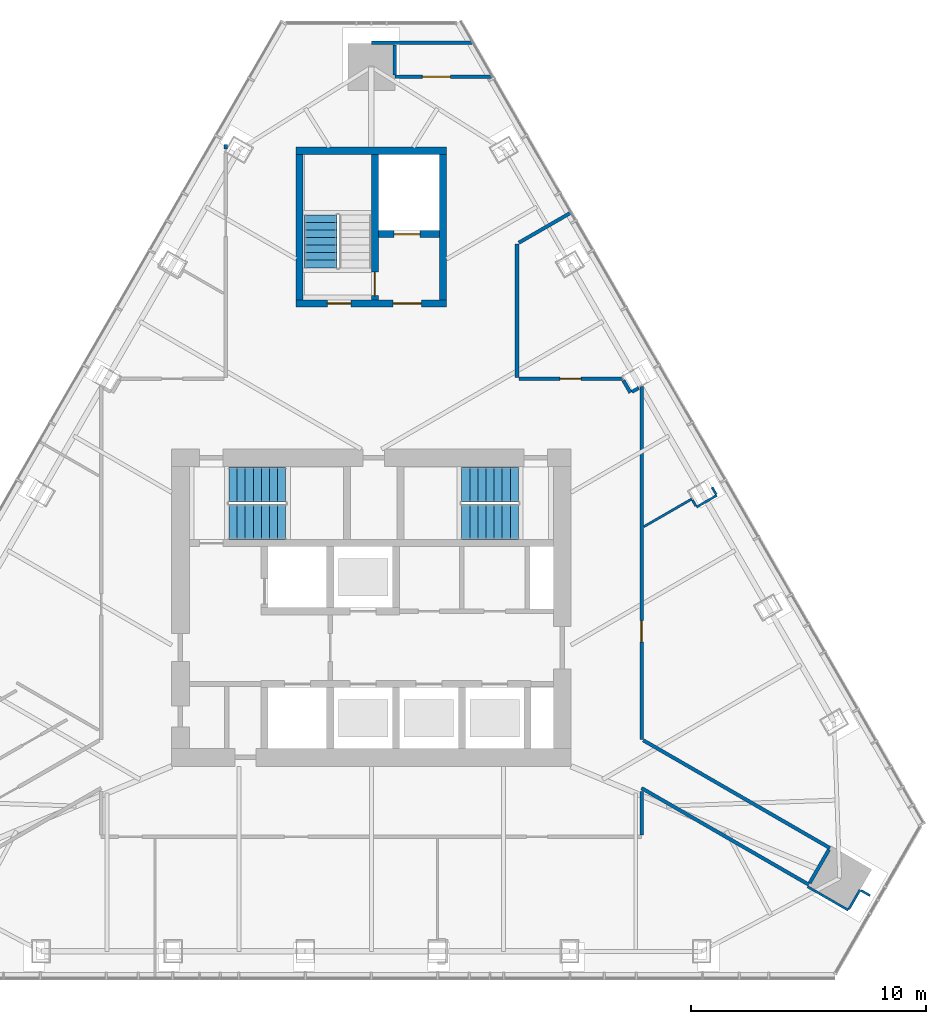
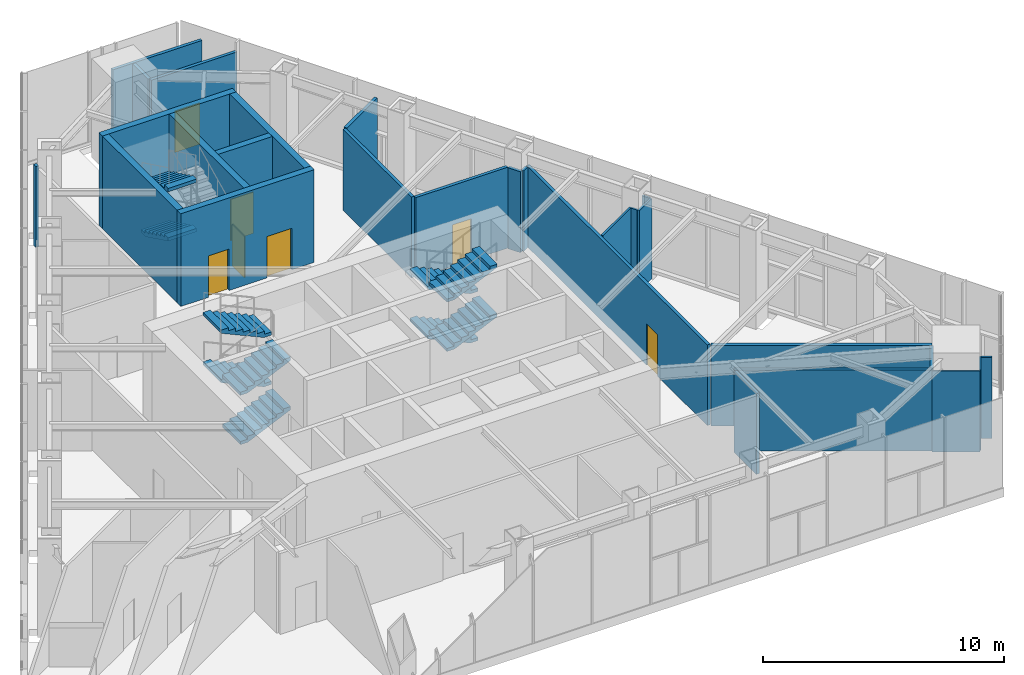
# One storey, part 13 of 17: 27 walls, 10 stair flights, 7 doors, 7 openings, 3 elements without a shape of their own.
"""IFC4 building model written with IfcOpenShell, lengths in metres."""

from ifc_helpers import new_model, si_unit, direction, frame, frame_2d, origin, place, context, subcontext, project, spatial, polyline, rectangle, outline, extrude, material, layer, layer_set, type_object, element, fill, aggregate, save


model = new_model("IFC4")

# Units and contexts
model_context = context("Model", 3, precision=1e-05, world=origin(), true_north=direction((0.0, 1.0)))
body_context = subcontext(model_context, "Body", "Model", "MODEL_VIEW")
ifc_project = project(units=[si_unit("LENGTHUNIT", "METRE"), si_unit("AREAUNIT", "SQUARE_METRE"), si_unit("VOLUMEUNIT", "CUBIC_METRE"), si_unit("PLANEANGLEUNIT", "RADIAN"), si_unit("MASSUNIT", "GRAM", prefix="KILO")], contexts=[model_context])

# Site, building, storey
site_placement = place(None, origin())
site = spatial("IfcSite", under=ifc_project, at=site_placement, CompositionType="ELEMENT")
building_placement = place(site_placement, origin())
building = spatial("IfcBuilding", under=site, at=building_placement, Name="Firuza Gate Tower and Library", CompositionType="ELEMENT")
storey_placement = place(building_placement, frame((0.0, 0.0, 326.60009765625)))
storey = spatial("IfcBuildingStorey", under=building, at=storey_placement, Name="L80", CompositionType="ELEMENT", Elevation=326.60009765625)

# Wall, openings, doors
ifc_material_1 = material(Name="Concrete C60/75", Category="concrete")
ifc_layer_1 = layer(ifc_material_1, 0.300048828125)
ifc_layer_set_1 = layer_set([ifc_layer_1], Name="Core wall 300 C60/75")
wall_type_1 = type_object("IfcWallType", Name="Core wall 300 C60/75", PredefinedType="SHEAR", material=ifc_layer_set_1)
wall_1_placement = place(storey_placement, frame((71.800048828125, 87.949951171875, 0.0), z_axis=(0.0, 0.0, 1.0), x_axis=(1.0, 0.0, 0.0)))
wall_1 = element("IfcWall", 1, at=wall_1_placement, inside=storey, type_object=wall_type_1, Name="Core wall L80 18", PredefinedType="SHEAR", context=body_context, shape_type="SweptSolid", body=[
    extrude(rectangle(XDim=6.39990234375, YDim=0.300048828125, at=frame_2d((3.199951171875, 0.0))), origin(), (0.0, 0.0, 1.0), 4.699951171875),
])
opening_1_placement = place(wall_1_placement, frame((1.324951171875, 0.0, 0.0)))
opening_1 = element("IfcOpeningElement", 2, at=opening_1_placement, cuts=wall_1, Name="Opening L80-K11", PredefinedType="OPENING", context=body_context, shape_type="SweptSolid", body=[
    extrude(rectangle(XDim=1.0, YDim=2.10009765625, at=frame_2d((0.5, 1.050048828125))), frame((0.0, 0.16015625, 0.0), z_axis=(0.0, -1.0, 0.0), x_axis=(1.0, 0.0, 0.0)), (0.0, 0.0, 1.0), 0.320068359375),
])
opening_2_placement = place(wall_1_placement, frame((4.125, 0.0, 0.0)))
opening_2 = element("IfcOpeningElement", 3, at=opening_2_placement, cuts=wall_1, Name="Opening L80-K13", PredefinedType="OPENING", context=body_context, shape_type="SweptSolid", body=[
    extrude(rectangle(XDim=1.199951171875, YDim=2.10009765625, at=frame_2d((0.60009765625, 1.050048828125))), frame((0.0, 0.16015625, 0.0), z_axis=(0.0, -1.0, 0.0), x_axis=(1.0, 0.0, 0.0)), (0.0, 0.0, 1.0), 0.320068359375),
])
ifc_material_2 = material(Name="Steel", Category="steel")
door_type_1 = type_object("IfcDoorType", Name="Fire door 1000x2100 FD90", OperationType="NOTDEFINED", PredefinedType="DOOR", material=ifc_material_2)
door_1_placement = place(opening_1_placement, origin())
door_1 = element("IfcDoor", 4, at=door_1_placement, inside=storey, type_object=door_type_1, Name="Door L80-K11", OperationType="SINGLE_SWING_RIGHT", OverallHeight=2.10009765625, OverallWidth=1.0, PredefinedType="DOOR", context=body_context, shape_type="SweptSolid", body=[
    extrude(rectangle(XDim=1.0, YDim=2.10009765625, at=frame_2d((0.5, 1.050048828125))), frame((0.0, 0.02490234375, 0.0), z_axis=(0.0, -1.0, 0.0), x_axis=(1.0, 0.0, 0.0)), (0.0, 0.0, 1.0), 0.050048828125),
])
fill(opening_1, door_1)
ifc_material_3 = material(Name="Steel", Category="steel")
door_type_2 = type_object("IfcDoorType", Name="Fire door 1200x2100 FD30S", OperationType="NOTDEFINED", PredefinedType="DOOR", material=ifc_material_3)
door_2_placement = place(opening_2_placement, origin())
door_2 = element("IfcDoor", 5, at=door_2_placement, inside=storey, type_object=door_type_2, Name="Door L80-K13", OperationType="SINGLE_SWING_RIGHT", OverallHeight=2.10009765625, OverallWidth=1.199951171875, PredefinedType="DOOR", context=body_context, shape_type="SweptSolid", body=[
    extrude(rectangle(XDim=1.199951171875, YDim=2.10009765625, at=frame_2d((0.60009765625, 1.050048828125))), frame((0.0, 0.02490234375, 0.0), z_axis=(0.0, -1.0, 0.0), x_axis=(1.0, 0.0, 0.0)), (0.0, 0.0, 1.0), 0.050048828125),
])
fill(opening_2, door_2)

# Walls
wall_2_placement = place(storey_placement, frame((71.800048828125, 94.449951171875, 0.0), z_axis=(0.0, 0.0, 1.0), x_axis=(1.0, 0.0, 0.0)))
element("IfcWall", 6, at=wall_2_placement, inside=storey, type_object=wall_type_1, Name="Core wall L80 19", PredefinedType="SHEAR", context=body_context, shape_type="SweptSolid", body=[
    extrude(rectangle(XDim=6.39990234375, YDim=0.300048828125, at=frame_2d((3.199951171875, 0.0))), origin(), (0.0, 0.0, 1.0), 4.699951171875),
])
for number, where, z_axis, x_axis, name in (
    (7, (71.949951171875, 88.10009765625, 0.0), (0.0, 0.0, 1.0), (0.0, 1.0, 0.0), "Core wall L80 20"),
    (8, (78.050048828125, 88.10009765625, 0.0), (0.0, 0.0, 1.0), (0.0, 1.0, 0.0), "Core wall L80 21"),
):
    element("IfcWall", number, at=place(storey_placement, frame(where, z_axis=z_axis, x_axis=x_axis)), inside=storey, type_object=wall_type_1, Name=name, PredefinedType="SHEAR", context=body_context, shape_type="SweptSolid", body=[
        extrude(rectangle(XDim=6.199951171875, YDim=0.300048828125, at=frame_2d((3.10009765625, 0.0))), origin(), (0.0, 0.0, 1.0), 4.699951171875),
    ])

# Wall, opening, door
wall_3_placement = place(storey_placement, frame((75.300048828125, 90.89990234375, 0.0), z_axis=(0.0, 0.0, 1.0), x_axis=(1.0, 0.0, 0.0)))
wall_3 = element("IfcWall", 9, at=wall_3_placement, inside=storey, type_object=wall_type_1, Name="Core wall L80 22", PredefinedType="SHEAR", context=body_context, shape_type="SweptSolid", body=[
    extrude(rectangle(XDim=2.599853515625, YDim=0.300048828125, at=frame_2d((1.2998046875, 0.0))), origin(), (0.0, 0.0, 1.0), 4.699951171875),
])
opening_3_placement = place(wall_3_placement, frame((0.675048828125, 0.0, 0.0)))
opening_3 = element("IfcOpeningElement", 10, at=opening_3_placement, cuts=wall_3, Name="Opening LD-SV1-L80", PredefinedType="OPENING", context=body_context, shape_type="SweptSolid", body=[
    extrude(rectangle(XDim=1.10009765625, YDim=2.10009765625, at=frame_2d((0.550048828125, 1.050048828125))), frame((0.0, 0.16015625, 0.0), z_axis=(0.0, -1.0, 0.0), x_axis=(1.0, 0.0, 0.0)), (0.0, 0.0, 1.0), 0.320068359375),
])
ifc_material_4 = material(Name="Stainless steel", Category="steel")
door_type_3 = type_object("IfcDoorType", Name="Lift landing door 1100x2100", OperationType="DOUBLE_DOOR_SLIDING", PredefinedType="DOOR", material=ifc_material_4)
door_3_placement = place(opening_3_placement, origin())
door_3 = element("IfcDoor", 11, at=door_3_placement, inside=storey, type_object=door_type_3, Name="Landing door SV1 L80", OperationType="DOUBLE_DOOR_SLIDING", OverallHeight=2.10009765625, OverallWidth=1.10009765625, PredefinedType="DOOR", context=body_context, shape_type="SweptSolid", body=[
    extrude(rectangle(XDim=1.10009765625, YDim=2.10009765625, at=frame_2d((0.550048828125, 1.050048828125))), frame((0.0, 0.02490234375, 0.0), z_axis=(0.0, -1.0, 0.0), x_axis=(1.0, 0.0, 0.0)), (0.0, 0.0, 1.0), 0.050048828125),
])
fill(opening_3, door_3)

wall_4_placement = place(storey_placement, frame((75.14990234375, 88.10009765625, 0.0), z_axis=(0.0, 0.0, 1.0), x_axis=(0.0, 1.0, 0.0)))
wall_4 = element("IfcWall", 12, at=wall_4_placement, inside=storey, type_object=wall_type_1, Name="Core wall L80 23", PredefinedType="SHEAR", context=body_context, shape_type="SweptSolid", body=[
    extrude(rectangle(XDim=6.199951171875, YDim=0.300048828125, at=frame_2d((3.10009765625, 0.0))), origin(), (0.0, 0.0, 1.0), 4.699951171875),
])
opening_4_placement = place(wall_4_placement, frame((0.18505859375, 0.0, 0.0)))
opening_4 = element("IfcOpeningElement", 13, at=opening_4_placement, cuts=wall_4, Name="Opening L80-K12", PredefinedType="OPENING", context=body_context, shape_type="SweptSolid", body=[
    extrude(rectangle(XDim=1.0, YDim=2.10009765625, at=frame_2d((0.5, 1.050048828125))), frame((0.0, 0.16015625, 0.0), z_axis=(0.0, -1.0, 0.0), x_axis=(1.0, 0.0, 0.0)), (0.0, 0.0, 1.0), 0.320068359375),
])
door_4_placement = place(opening_4_placement, origin())
door_4 = element("IfcDoor", 14, at=door_4_placement, inside=storey, type_object=door_type_1, Name="Door L80-K12", OperationType="SINGLE_SWING_LEFT", OverallHeight=2.10009765625, OverallWidth=1.0, PredefinedType="DOOR", context=body_context, shape_type="SweptSolid", body=[
    extrude(rectangle(XDim=1.0, YDim=2.10009765625, at=frame_2d((0.5, 1.050048828125))), frame((0.0, 0.02490234375, 0.0), z_axis=(0.0, -1.0, 0.0), x_axis=(1.0, 0.0, 0.0)), (0.0, 0.0, 1.0), 0.050048828125),
])
fill(opening_4, door_4)

ifc_material_5 = material(Name="Gypsum board partition")
ifc_layer_2 = layer(ifc_material_5, 0.14990234375)
ifc_layer_set_2 = layer_set([ifc_layer_2], Name="Corridor wall 150 double board on steel studs")
wall_type_2 = type_object("IfcWallType", Name="Corridor wall 150 double board on steel studs", PredefinedType="PARTITIONING", material=ifc_layer_set_2)
wall_5_placement = place(storey_placement, frame((81.275634765625, 84.75, 0.0), z_axis=(0.0, 0.0, 1.0), x_axis=(1.0, 0.0, 0.0)))
wall_5 = element("IfcWall", 15, at=wall_5_placement, inside=storey, type_object=wall_type_2, Name="f:L80:w004", PredefinedType="PARTITIONING", context=body_context, shape_type="SweptSolid", body=[
    extrude(rectangle(XDim=4.4072265625, YDim=0.14990234375, at=frame_2d((2.20361328125, 0.0))), origin(), (0.0, 0.0, 1.0), 4.099853515625),
])
opening_5_placement = place(wall_5_placement, frame((1.753662109375, 0.0, 0.0)))
opening_5 = element("IfcOpeningElement", 16, at=opening_5_placement, cuts=wall_5, Name="Opening L80-05", PredefinedType="OPENING", context=body_context, shape_type="SweptSolid", body=[
    extrude(rectangle(XDim=0.89990234375, YDim=2.10009765625, at=frame_2d((0.449951171875, 1.050048828125))), frame((0.0, 0.0849609375, 0.0), z_axis=(0.0, -1.0, 0.0), x_axis=(1.0, 0.0, 0.0)), (0.0, 0.0, 1.0), 0.169921875),
])
ifc_material_6 = material(Name="Steel door and timber leaf", Category="steel")
door_type_4 = type_object("IfcDoorType", Name="Fire door 900 x 2100 steel frame, timber leaf", OperationType="NOTDEFINED", PredefinedType="DOOR", material=ifc_material_6)
door_5_placement = place(opening_5_placement, origin())
door_5 = element("IfcDoor", 17, at=door_5_placement, inside=storey, type_object=door_type_4, Name="f:L80:d005", OperationType="SINGLE_SWING_LEFT", OverallHeight=2.10009765625, OverallWidth=0.89990234375, PredefinedType="DOOR", context=body_context, shape_type="SweptSolid", body=[
    extrude(rectangle(XDim=0.89990234375, YDim=2.10009765625, at=frame_2d((0.449951171875, 1.050048828125))), frame((0.0, 0.02490234375, 0.0), z_axis=(0.0, -1.0, 0.0), x_axis=(1.0, 0.0, 0.0)), (0.0, 0.0, 1.0), 0.050048828125),
])
fill(opening_5, door_5)

wall_6_placement = place(storey_placement, frame((76.0, 97.60009765625, 0.0), z_axis=(0.0, 0.0, 1.0), x_axis=(1.0, 0.0, 0.0)))
wall_6 = element("IfcWall", 18, at=wall_6_placement, inside=storey, type_object=wall_type_2, Name="f:L80:w005", PredefinedType="PARTITIONING", context=body_context, shape_type="SweptSolid", body=[
    extrude(rectangle(XDim=4.11181640625, YDim=0.14990234375, at=frame_2d((2.055908203125, 0.0))), origin(), (0.0, 0.0, 1.0), 4.099853515625),
])
opening_6_placement = place(wall_6_placement, frame((1.167236328125, 0.0, 0.0)))
opening_6 = element("IfcOpeningElement", 19, at=opening_6_placement, cuts=wall_6, Name="Opening L80-06", PredefinedType="OPENING", context=body_context, shape_type="SweptSolid", body=[
    extrude(rectangle(XDim=1.199951171875, YDim=2.10009765625, at=frame_2d((0.60009765625, 1.050048828125))), frame((0.0, 0.0849609375, 0.0), z_axis=(0.0, -1.0, 0.0), x_axis=(1.0, 0.0, 0.0)), (0.0, 0.0, 1.0), 0.169921875),
])
ifc_material_7 = material(Name="Steel door and timber leaf", Category="steel")
door_type_5 = type_object("IfcDoorType", Name="Fire door 1200 x 2100 steel frame, double leaf", OperationType="NOTDEFINED", PredefinedType="DOOR", material=ifc_material_7)
door_6_placement = place(opening_6_placement, origin())
door_6 = element("IfcDoor", 20, at=door_6_placement, inside=storey, type_object=door_type_5, Name="f:L80:d006", OperationType="DOUBLE_DOOR_SINGLE_SWING", OverallHeight=2.10009765625, OverallWidth=1.199951171875, PredefinedType="DOOR", context=body_context, shape_type="SweptSolid", body=[
    extrude(rectangle(XDim=1.199951171875, YDim=2.10009765625, at=frame_2d((0.60009765625, 1.050048828125))), frame((0.0, 0.02490234375, 0.0), z_axis=(0.0, -1.0, 0.0), x_axis=(1.0, 0.0, 0.0)), (0.0, 0.0, 1.0), 0.050048828125),
])
fill(opening_6, door_6)

# Walls
wall_7_placement = place(storey_placement, frame((75.0, 99.050048828125, 0.0), z_axis=(0.0, 0.0, 1.0), x_axis=(1.0, 0.0, 0.0)))
element("IfcWall", 21, at=wall_7_placement, inside=storey, type_object=wall_type_2, Name="f:L80:w006", PredefinedType="PARTITIONING", context=body_context, shape_type="SweptSolid", body=[
    extrude(rectangle(XDim=4.274658203125, YDim=0.14990234375, at=frame_2d((2.13720703125, 0.0))), origin(), (0.0, 0.0, 1.0), 4.099853515625),
])
wall_8_placement = place(storey_placement, frame((86.093017578125, 84.19091796875, 0.0), z_axis=(0.0, 0.0, 1.0), x_axis=(0.866112258846, 0.499849532436, 0.0)))
element("IfcWall", 22, at=wall_8_placement, inside=storey, type_object=wall_type_2, Name="f:L80:w014", PredefinedType="PARTITIONING", context=body_context, shape_type="SweptSolid", body=[
    extrude(rectangle(XDim=0.33251953125, YDim=0.14990234375, at=frame_2d((0.166259765625, 0.0))), origin(), (0.0, 0.0, 1.0), 4.087890625),
])
wall_9_placement = place(storey_placement, frame((81.275146484375, 90.533935546875, 0.0), z_axis=(0.0, 0.0, 1.0), x_axis=(0.866045539517, 0.499965122266, 0.0)))
element("IfcWall", 23, at=wall_9_placement, inside=storey, type_object=wall_type_2, Name="f:L80:w016", PredefinedType="PARTITIONING", context=body_context, shape_type="SweptSolid", body=[
    extrude(rectangle(XDim=2.525634765625, YDim=0.14990234375, at=frame_2d((1.2626953125, 0.0))), origin(), (0.0, 0.0, 1.0), 4.099853515625),
])
wall_10_placement = place(storey_placement, frame((93.658447265625, 63.28125, 0.0), z_axis=(0.0, 0.0, 1.0), x_axis=(0.499988108725, 0.866032269107, 0.0)))
element("IfcWall", 24, at=wall_10_placement, inside=storey, type_object=wall_type_2, Name="f:L80:w018", PredefinedType="PARTITIONING", context=body_context, shape_type="SweptSolid", body=[
    extrude(rectangle(XDim=1.64404296875, YDim=0.14990234375, at=frame_2d((0.822021484375, 0.0))), origin(), (0.0, 0.0, 1.0), 4.096923828125),
])
wall_11_placement = place(storey_placement, frame((86.5, 65.325439453125, 0.0), z_axis=(0.0, 0.0, 1.0), x_axis=(0.0, 1.0, 0.0)))
element("IfcWall", 25, at=wall_11_placement, inside=storey, type_object=wall_type_2, Name="f:L80:w022", PredefinedType="PARTITIONING", context=body_context, shape_type="SweptSolid", body=[
    extrude(rectangle(XDim=1.859130859375, YDim=0.14990234375, at=frame_2d((0.9296875, 0.0))), origin(), (0.0, 0.0, 1.0), 4.096923828125),
])

# Wall, opening, door
wall_12_placement = place(storey_placement, frame((86.5, 84.42529296875, 0.0), z_axis=(0.0, 0.0, 1.0), x_axis=(0.0, -1.0, 0.0)))
wall_12 = element("IfcWall", 26, at=wall_12_placement, inside=storey, type_object=wall_type_2, Name="f:L80:w023", PredefinedType="PARTITIONING", context=body_context, shape_type="SweptSolid", body=[
    extrude(rectangle(XDim=15.025634765625, YDim=0.14990234375, at=frame_2d((7.5126953125, 0.0))), origin(), (0.0, 0.0, 1.0), 4.087890625),
])
opening_7_placement = place(wall_12_placement, frame((9.978271484375, 0.0, 0.0)))
opening_7 = element("IfcOpeningElement", 27, at=opening_7_placement, cuts=wall_12, Name="Opening L80-11", PredefinedType="OPENING", context=body_context, shape_type="SweptSolid", body=[
    extrude(rectangle(XDim=0.89990234375, YDim=2.10009765625, at=frame_2d((0.449951171875, 1.050048828125))), frame((0.0, 0.0849609375, 0.0), z_axis=(0.0, -1.0, 0.0), x_axis=(1.0, 0.0, 0.0)), (0.0, 0.0, 1.0), 0.169921875),
])
door_7_placement = place(opening_7_placement, origin())
door_7 = element("IfcDoor", 28, at=door_7_placement, inside=storey, type_object=door_type_4, Name="f:L80:d011", OperationType="SINGLE_SWING_LEFT", OverallHeight=2.10009765625, OverallWidth=0.89990234375, PredefinedType="DOOR", context=body_context, shape_type="SweptSolid", body=[
    extrude(rectangle(XDim=0.89990234375, YDim=2.10009765625, at=frame_2d((0.449951171875, 1.050048828125))), frame((0.0, 0.02490234375, 0.0), z_axis=(0.0, -1.0, 0.0), x_axis=(1.0, 0.0, 0.0)), (0.0, 0.0, 1.0), 0.050048828125),
])
fill(opening_7, door_7)

# Walls
wall_13_placement = place(storey_placement, frame((81.199951171875, 84.800537109375, 0.0), z_axis=(0.0, 0.0, 1.0), x_axis=(0.0, 1.0, 0.0)))
element("IfcWall", 29, at=wall_13_placement, inside=storey, type_object=wall_type_2, Name="f:L80:w024", PredefinedType="PARTITIONING", context=body_context, shape_type="SweptSolid", body=[
    extrude(rectangle(XDim=5.6904296875, YDim=0.14990234375, at=frame_2d((2.84521484375, 0.0))), origin(), (0.0, 0.0, 1.0), 4.099853515625),
])
wall_14_placement = place(storey_placement, frame((76.0, 97.675048828125, 0.0), z_axis=(0.0, 0.0, 1.0), x_axis=(0.0, 1.0, 0.0)))
element("IfcWall", 30, at=wall_14_placement, inside=storey, type_object=wall_type_2, Name="f:L80:w027", PredefinedType="PARTITIONING", context=body_context, shape_type="SweptSolid", body=[
    extrude(rectangle(XDim=1.268310546875, YDim=0.14990234375, at=frame_2d((0.63427734375, 0.0))), origin(), (0.0, 0.0, 1.0), 4.099853515625),
])
wall_15_placement = place(storey_placement, frame((68.800048828125, 94.516845703125, 0.0), z_axis=(0.0, 0.0, 1.0), x_axis=(0.0, 1.0, 0.0)))
element("IfcWall", 31, at=wall_15_placement, inside=storey, type_object=wall_type_2, Name="f:L80:w029", PredefinedType="PARTITIONING", context=body_context, shape_type="SweptSolid", body=[
    extrude(rectangle(XDim=0.1982421875, YDim=0.14990234375, at=frame_2d((0.09912109375, 0.0))), origin(), (0.0, 0.0, 1.0), 4.099853515625),
])
wall_16_placement = place(storey_placement, frame((86.027587890625, 84.154052734375, 0.0), z_axis=(0.0, 0.0, 1.0), x_axis=(-0.500155846824, 0.86593540688, 0.0)))
element("IfcWall", 32, at=wall_16_placement, inside=storey, type_object=wall_type_2, Name="f:L80:w035", PredefinedType="PARTITIONING", context=body_context, shape_type="SweptSolid", body=[
    extrude(rectangle(XDim=0.601318359375, YDim=0.14990234375, at=frame_2d((0.30078125, 0.0))), origin(), (0.0, 0.0, 1.0), 4.099853515625),
])
wall_17_placement = place(storey_placement, frame((94.51806640625, 64.7705078125, 0.0), z_axis=(0.0, 0.0, 1.0), x_axis=(-0.866026452747, 0.499998183138, 0.0)))
element("IfcWall", 33, at=wall_17_placement, inside=storey, type_object=wall_type_2, Name="f:L80:w042", PredefinedType="PARTITIONING", context=body_context, shape_type="SweptSolid", body=[
    extrude(rectangle(XDim=9.171875, YDim=0.14990234375, at=frame_2d((4.5859375, 0.0))), origin(), (0.0, 0.0, 1.0), 4.099853515625),
])
wall_18_placement = place(storey_placement, frame((93.618408203125, 63.21142578125, 0.0), z_axis=(0.0, 0.0, 1.0), x_axis=(-0.866022854634, 0.500004415232, 0.0)))
element("IfcWall", 34, at=wall_18_placement, inside=storey, type_object=wall_type_2, Name="f:L80:w044", PredefinedType="PARTITIONING", context=body_context, shape_type="SweptSolid", body=[
    extrude(rectangle(XDim=8.2197265625, YDim=0.14990234375, at=frame_2d((4.10986328125, 0.0))), origin(), (0.0, 0.0, 1.0), 4.096923828125),
])
ifc_material_8 = material(Name="Gypsum board partition")
ifc_layer_3 = layer(ifc_material_8, 0.10009765625)
ifc_layer_set_3 = layer_set([ifc_layer_3], Name="Partition 100 gypsum board on steel studs")
wall_type_3 = type_object("IfcWallType", Name="Partition 100 gypsum board on steel studs", PredefinedType="PARTITIONING", material=ifc_layer_set_3)
wall_19_placement = place(storey_placement, frame((88.841064453125, 79.28125, 0.0), z_axis=(0.0, 0.0, 1.0), x_axis=(0.866039090965, 0.499976292358, 0.0)))
element("IfcWall", 35, at=wall_19_placement, inside=storey, type_object=wall_type_3, Name="f:L80:w007", PredefinedType="PARTITIONING", context=body_context, shape_type="SweptSolid", body=[
    extrude(rectangle(XDim=0.9990234375, YDim=0.10009765625, at=frame_2d((0.49951171875, 0.0))), origin(), (0.0, 0.0, 1.0), 4.087890625),
])
wall_20_placement = place(storey_placement, frame((86.600830078125, 78.44970703125, 0.0), z_axis=(0.0, 0.0, 1.0), x_axis=(0.866007751199, 0.500030573929, 0.0)))
element("IfcWall", 36, at=wall_20_placement, inside=storey, type_object=wall_type_3, Name="f:L80:w008", PredefinedType="PARTITIONING", context=body_context, shape_type="SweptSolid", body=[
    extrude(rectangle(XDim=2.354736328125, YDim=0.10009765625, at=frame_2d((1.17724609375, 0.0))), origin(), (0.0, 0.0, 1.0), 4.099853515625),
])
wall_21_placement = place(storey_placement, frame((95.325439453125, 62.168701171875, 0.0), z_axis=(0.0, 0.0, 1.0), x_axis=(0.50012328804, 0.865954211699, 0.0)))
element("IfcWall", 37, at=wall_21_placement, inside=storey, type_object=wall_type_3, Name="f:L80:w017", PredefinedType="PARTITIONING", context=body_context, shape_type="SweptSolid", body=[
    extrude(rectangle(XDim=0.948974609375, YDim=0.10009765625, at=frame_2d((0.474609375, 0.0))), origin(), (0.0, 0.0, 1.0), 4.099853515625),
])
wall_22_placement = place(storey_placement, frame((89.681884765625, 79.824462890625, 0.0), z_axis=(0.0, 0.0, 1.0), x_axis=(-0.500126092966, 0.865952591736, 0.0)))
element("IfcWall", 38, at=wall_22_placement, inside=storey, type_object=wall_type_3, Name="f:L80:w033", PredefinedType="PARTITIONING", context=body_context, shape_type="SweptSolid", body=[
    extrude(rectangle(XDim=0.34912109375, YDim=0.10009765625, at=frame_2d((0.174560546875, 0.0))), origin(), (0.0, 0.0, 1.0), 4.099853515625),
])
wall_23_placement = place(storey_placement, frame((88.81591796875, 79.324462890625, 0.0), z_axis=(0.0, 0.0, 1.0), x_axis=(-0.500617711777, 0.865668473872, 0.0)))
element("IfcWall", 39, at=wall_23_placement, inside=storey, type_object=wall_type_3, Name="f:L80:w034", PredefinedType="PARTITIONING", context=body_context, shape_type="SweptSolid", body=[
    extrude(rectangle(XDim=0.298828125, YDim=0.10009765625, at=frame_2d((0.1494140625, 0.0))), origin(), (0.0, 0.0, 1.0), 4.099853515625),
])
wall_24_placement = place(storey_placement, frame((96.233642578125, 62.740966796875, 0.0), z_axis=(0.0, 0.0, 1.0), x_axis=(-0.866230789891, 0.499644091975, 0.0)))
element("IfcWall", 40, at=wall_24_placement, inside=storey, type_object=wall_type_3, Name="f:L80:w043", PredefinedType="PARTITIONING", context=body_context, shape_type="SweptSolid", body=[
    extrude(rectangle(XDim=0.449462890625, YDim=0.10009765625, at=frame_2d((0.224609375, 0.0))), origin(), (0.0, 0.0, 1.0), 4.099853515625),
])
wall_25_placement = place(storey_placement, frame((95.300048828125, 62.125244140625, 0.0), z_axis=(0.0, 0.0, 1.0), x_axis=(-0.866077797426, 0.499909240568, 0.0)))
element("IfcWall", 41, at=wall_25_placement, inside=storey, type_object=wall_type_3, Name="f:L80:w046", PredefinedType="PARTITIONING", context=body_context, shape_type="SweptSolid", body=[
    extrude(rectangle(XDim=1.998779296875, YDim=0.10009765625, at=frame_2d((0.99951171875, 0.0))), origin(), (0.0, 0.0, 1.0), 4.099853515625),
])

# Stair, stair flights
ifc_material_9 = material(Name="Concrete C35/45", Category="concrete")
stair_type_1 = type_object("IfcStairType", Name="Exit stair ST11", PredefinedType="HALF_TURN_STAIR", material=ifc_material_9)
placement = place(storey_placement, origin())
stair_1 = element("IfcStair", 42, at=placement, inside=storey, type_object=stair_type_1, Name="L80 Stair ST3", PredefinedType="HALF_TURN_STAIR")
ifc_material_10 = material(Name="Concrete C35/45", Category="concrete")
stair_flight_type_1 = type_object("IfcStairFlightType", Name="Stair flight 8 risers 156.2 width 1370", PredefinedType="STRAIGHT", material=ifc_material_10)
stair_flight_1_placement = place(storey_placement, frame((72.844970703125, 91.7099609375, 1.25), z_axis=(0.0, 0.0, 1.0), x_axis=(0.0, -1.0, 0.0)))
stair_flight_1 = element("IfcStairFlight", 43, at=stair_flight_1_placement, type_object=stair_flight_type_1, Name="ST3 flight 2", NumberOfRisers=8, NumberOfTreads=7, PredefinedType="STRAIGHT", RiserHeight=0.15625, TreadLength=0.32, context=body_context, shape_type="SweptSolid", body=[
    extrude(outline(polyline([(0.0, 0.0), (0.0, 0.15625), (0.320068359375, 0.15625), (0.320068359375, 0.3125), (0.639892578125, 0.3125), (0.639892578125, 0.46875), (0.9599609375, 0.46875), (0.9599609375, 0.625), (1.280029296875, 0.625), (1.280029296875, 0.78125), (1.60009765625, 0.78125), (1.60009765625, 0.9375), (1.919921875, 0.9375), (1.919921875, 1.09375), (2.239990234375, 1.09375), (2.239990234375, 1.25), (2.239990234375, 0.927001953125), (0.341552734375, 0.0), (0.0, 0.0)])), frame((0.0, 0.68505859375, 0.0), z_axis=(0.0, -1.0, 0.0), x_axis=(1.0, 0.0, 0.0)), (0.0, 0.0, 1.0), 1.3701171875),
])
stair_flight_2_placement = place(storey_placement, frame((72.844970703125, 91.7099609375, 3.75), z_axis=(0.0, 0.0, 1.0), x_axis=(0.0, -1.0, 0.0)))
stair_flight_2 = element("IfcStairFlight", 44, at=stair_flight_2_placement, type_object=stair_flight_type_1, Name="ST3 flight 4", NumberOfRisers=8, NumberOfTreads=7, PredefinedType="STRAIGHT", RiserHeight=0.15625, TreadLength=0.32, context=body_context, shape_type="SweptSolid", body=[
    extrude(outline(polyline([(0.0, 0.0), (0.0, 0.15625), (0.320068359375, 0.15625), (0.320068359375, 0.3125), (0.639892578125, 0.3125), (0.639892578125, 0.46875), (0.9599609375, 0.46875), (0.9599609375, 0.625), (1.280029296875, 0.625), (1.280029296875, 0.78125), (1.60009765625, 0.78125), (1.60009765625, 0.9375), (1.919921875, 0.9375), (1.919921875, 1.09375), (2.239990234375, 1.09375), (2.239990234375, 1.25), (2.239990234375, 0.927001953125), (0.341552734375, 0.0), (0.0, 0.0)])), frame((0.0, 0.68505859375, 0.0), z_axis=(0.0, -1.0, 0.0), x_axis=(1.0, 0.0, 0.0)), (0.0, 0.0, 1.0), 1.3701171875),
])
aggregate(stair_1, [stair_flight_1, stair_flight_2])

ifc_material_11 = material(Name="Concrete C35/45", Category="concrete")
stair_type_2 = type_object("IfcStairType", Name="Exit stair ST2", PredefinedType="HALF_TURN_STAIR", material=ifc_material_11)
stair_2 = element("IfcStair", 45, at=placement, inside=storey, type_object=stair_type_2, Name="L80 Stair ST1", PredefinedType="HALF_TURN_STAIR")
ifc_material_12 = material(Name="Concrete C35/45", Category="concrete")
stair_flight_type_2 = type_object("IfcStairFlightType", Name="Stair flight 8 risers 156.2 width 1490", PredefinedType="STRAIGHT", material=ifc_material_12)
stair_flight_3_placement = place(storey_placement, frame((68.93994140625, 78.64501953125, 0.0), z_axis=(0.0, 0.0, 1.0), x_axis=(1.0, 0.0, 0.0)))
stair_flight_3 = element("IfcStairFlight", 46, at=stair_flight_3_placement, type_object=stair_flight_type_2, Name="ST1 flight 1", NumberOfRisers=8, NumberOfTreads=7, PredefinedType="STRAIGHT", RiserHeight=0.15625, TreadLength=0.345, context=body_context, shape_type="SweptSolid", body=[
    extrude(outline(polyline([(0.0, 0.0), (0.0, 0.15625), (0.344970703125, 0.15625), (0.344970703125, 0.3125), (0.68994140625, 0.3125), (0.68994140625, 0.46875), (1.034912109375, 0.46875), (1.034912109375, 0.625), (1.3798828125, 0.625), (1.3798828125, 0.78125), (1.72509765625, 0.78125), (1.72509765625, 0.9375), (2.070068359375, 0.9375), (2.070068359375, 1.09375), (2.4150390625, 1.09375), (2.4150390625, 1.25), (2.4150390625, 0.92919921875), (0.36328125, 0.0), (0.0, 0.0)])), frame((0.0, 0.7451171875, 0.0), z_axis=(0.0, -1.0, 0.0), x_axis=(1.0, 0.0, 0.0)), (0.0, 0.0, 1.0), 1.489990234375),
])
stair_flight_4_placement = place(storey_placement, frame((71.35498046875, 80.235107421875, 1.25), z_axis=(0.0, 0.0, 1.0), x_axis=(-1.0, 0.0, 0.0)))
stair_flight_4 = element("IfcStairFlight", 47, at=stair_flight_4_placement, type_object=stair_flight_type_2, Name="ST1 flight 2", NumberOfRisers=8, NumberOfTreads=7, PredefinedType="STRAIGHT", RiserHeight=0.15625, TreadLength=0.345, context=body_context, shape_type="SweptSolid", body=[
    extrude(outline(polyline([(0.0, 0.0), (0.0, 0.15625), (0.344970703125, 0.15625), (0.344970703125, 0.3125), (0.68994140625, 0.3125), (0.68994140625, 0.46875), (1.034912109375, 0.46875), (1.034912109375, 0.625), (1.3798828125, 0.625), (1.3798828125, 0.78125), (1.72509765625, 0.78125), (1.72509765625, 0.9375), (2.070068359375, 0.9375), (2.070068359375, 1.09375), (2.4150390625, 1.09375), (2.4150390625, 1.25), (2.4150390625, 0.92919921875), (0.36328125, 0.0), (0.0, 0.0)])), frame((0.0, 0.7451171875, 0.0), z_axis=(0.0, -1.0, 0.0), x_axis=(1.0, 0.0, 0.0)), (0.0, 0.0, 1.0), 1.489990234375),
])
stair_flight_5_placement = place(storey_placement, frame((68.93994140625, 78.64501953125, 2.5), z_axis=(0.0, 0.0, 1.0), x_axis=(1.0, 0.0, 0.0)))
stair_flight_5 = element("IfcStairFlight", 48, at=stair_flight_5_placement, type_object=stair_flight_type_2, Name="ST1 flight 3", NumberOfRisers=8, NumberOfTreads=7, PredefinedType="STRAIGHT", RiserHeight=0.15625, TreadLength=0.345, context=body_context, shape_type="SweptSolid", body=[
    extrude(outline(polyline([(0.0, 0.0), (0.0, 0.15625), (0.344970703125, 0.15625), (0.344970703125, 0.3125), (0.68994140625, 0.3125), (0.68994140625, 0.46875), (1.034912109375, 0.46875), (1.034912109375, 0.625), (1.3798828125, 0.625), (1.3798828125, 0.78125), (1.72509765625, 0.78125), (1.72509765625, 0.9375), (2.070068359375, 0.9375), (2.070068359375, 1.09375), (2.4150390625, 1.09375), (2.4150390625, 1.25), (2.4150390625, 0.92919921875), (0.36328125, 0.0), (0.0, 0.0)])), frame((0.0, 0.7451171875, 0.0), z_axis=(0.0, -1.0, 0.0), x_axis=(1.0, 0.0, 0.0)), (0.0, 0.0, 1.0), 1.489990234375),
])
stair_flight_6_placement = place(storey_placement, frame((71.35498046875, 80.235107421875, 3.75), z_axis=(0.0, 0.0, 1.0), x_axis=(-1.0, 0.0, 0.0)))
stair_flight_6 = element("IfcStairFlight", 49, at=stair_flight_6_placement, type_object=stair_flight_type_2, Name="ST1 flight 4", NumberOfRisers=8, NumberOfTreads=7, PredefinedType="STRAIGHT", RiserHeight=0.15625, TreadLength=0.345, context=body_context, shape_type="SweptSolid", body=[
    extrude(outline(polyline([(0.0, 0.0), (0.0, 0.15625), (0.344970703125, 0.15625), (0.344970703125, 0.3125), (0.68994140625, 0.3125), (0.68994140625, 0.46875), (1.034912109375, 0.46875), (1.034912109375, 0.625), (1.3798828125, 0.625), (1.3798828125, 0.78125), (1.72509765625, 0.78125), (1.72509765625, 0.9375), (2.070068359375, 0.9375), (2.070068359375, 1.09375), (2.4150390625, 1.09375), (2.4150390625, 1.25), (2.4150390625, 0.92919921875), (0.36328125, 0.0), (0.0, 0.0)])), frame((0.0, 0.7451171875, 0.0), z_axis=(0.0, -1.0, 0.0), x_axis=(1.0, 0.0, 0.0)), (0.0, 0.0, 1.0), 1.489990234375),
])
aggregate(stair_2, [stair_flight_3, stair_flight_4, stair_flight_5, stair_flight_6])

stair_3 = element("IfcStair", 50, at=placement, inside=storey, type_object=stair_type_2, Name="L80 Stair ST2", PredefinedType="HALF_TURN_STAIR")
stair_flight_7_placement = place(storey_placement, frame((81.260009765625, 80.235107421875, 0.0), z_axis=(0.0, 0.0, 1.0), x_axis=(-1.0, 0.0, 0.0)))
stair_flight_7 = element("IfcStairFlight", 51, at=stair_flight_7_placement, type_object=stair_flight_type_2, Name="ST2 flight 1", NumberOfRisers=8, NumberOfTreads=7, PredefinedType="STRAIGHT", RiserHeight=0.15625, TreadLength=0.345, context=body_context, shape_type="SweptSolid", body=[
    extrude(outline(polyline([(0.0, 0.0), (0.0, 0.15625), (0.344970703125, 0.15625), (0.344970703125, 0.3125), (0.68994140625, 0.3125), (0.68994140625, 0.46875), (1.034912109375, 0.46875), (1.034912109375, 0.625), (1.3798828125, 0.625), (1.3798828125, 0.78125), (1.72509765625, 0.78125), (1.72509765625, 0.9375), (2.070068359375, 0.9375), (2.070068359375, 1.09375), (2.4150390625, 1.09375), (2.4150390625, 1.25), (2.4150390625, 0.92919921875), (0.36328125, 0.0), (0.0, 0.0)])), frame((0.0, 0.7451171875, 0.0), z_axis=(0.0, -1.0, 0.0), x_axis=(1.0, 0.0, 0.0)), (0.0, 0.0, 1.0), 1.489990234375),
])
stair_flight_8_placement = place(storey_placement, frame((78.844970703125, 78.64501953125, 1.25), z_axis=(0.0, 0.0, 1.0), x_axis=(1.0, 0.0, 0.0)))
stair_flight_8 = element("IfcStairFlight", 52, at=stair_flight_8_placement, type_object=stair_flight_type_2, Name="ST2 flight 2", NumberOfRisers=8, NumberOfTreads=7, PredefinedType="STRAIGHT", RiserHeight=0.15625, TreadLength=0.345, context=body_context, shape_type="SweptSolid", body=[
    extrude(outline(polyline([(0.0, 0.0), (0.0, 0.15625), (0.344970703125, 0.15625), (0.344970703125, 0.3125), (0.68994140625, 0.3125), (0.68994140625, 0.46875), (1.034912109375, 0.46875), (1.034912109375, 0.625), (1.3798828125, 0.625), (1.3798828125, 0.78125), (1.72509765625, 0.78125), (1.72509765625, 0.9375), (2.070068359375, 0.9375), (2.070068359375, 1.09375), (2.4150390625, 1.09375), (2.4150390625, 1.25), (2.4150390625, 0.92919921875), (0.36328125, 0.0), (0.0, 0.0)])), frame((0.0, 0.7451171875, 0.0), z_axis=(0.0, -1.0, 0.0), x_axis=(1.0, 0.0, 0.0)), (0.0, 0.0, 1.0), 1.489990234375),
])
stair_flight_9_placement = place(storey_placement, frame((81.260009765625, 80.235107421875, 2.5), z_axis=(0.0, 0.0, 1.0), x_axis=(-1.0, 0.0, 0.0)))
stair_flight_9 = element("IfcStairFlight", 53, at=stair_flight_9_placement, type_object=stair_flight_type_2, Name="ST2 flight 3", NumberOfRisers=8, NumberOfTreads=7, PredefinedType="STRAIGHT", RiserHeight=0.15625, TreadLength=0.345, context=body_context, shape_type="SweptSolid", body=[
    extrude(outline(polyline([(0.0, 0.0), (0.0, 0.15625), (0.344970703125, 0.15625), (0.344970703125, 0.3125), (0.68994140625, 0.3125), (0.68994140625, 0.46875), (1.034912109375, 0.46875), (1.034912109375, 0.625), (1.3798828125, 0.625), (1.3798828125, 0.78125), (1.72509765625, 0.78125), (1.72509765625, 0.9375), (2.070068359375, 0.9375), (2.070068359375, 1.09375), (2.4150390625, 1.09375), (2.4150390625, 1.25), (2.4150390625, 0.92919921875), (0.36328125, 0.0), (0.0, 0.0)])), frame((0.0, 0.7451171875, 0.0), z_axis=(0.0, -1.0, 0.0), x_axis=(1.0, 0.0, 0.0)), (0.0, 0.0, 1.0), 1.489990234375),
])
stair_flight_10_placement = place(storey_placement, frame((78.844970703125, 78.64501953125, 3.75), z_axis=(0.0, 0.0, 1.0), x_axis=(1.0, 0.0, 0.0)))
stair_flight_10 = element("IfcStairFlight", 54, at=stair_flight_10_placement, type_object=stair_flight_type_2, Name="ST2 flight 4", NumberOfRisers=8, NumberOfTreads=7, PredefinedType="STRAIGHT", RiserHeight=0.15625, TreadLength=0.345, context=body_context, shape_type="SweptSolid", body=[
    extrude(outline(polyline([(0.0, 0.0), (0.0, 0.15625), (0.344970703125, 0.15625), (0.344970703125, 0.3125), (0.68994140625, 0.3125), (0.68994140625, 0.46875), (1.034912109375, 0.46875), (1.034912109375, 0.625), (1.3798828125, 0.625), (1.3798828125, 0.78125), (1.72509765625, 0.78125), (1.72509765625, 0.9375), (2.070068359375, 0.9375), (2.070068359375, 1.09375), (2.4150390625, 1.09375), (2.4150390625, 1.25), (2.4150390625, 0.92919921875), (0.36328125, 0.0), (0.0, 0.0)])), frame((0.0, 0.7451171875, 0.0), z_axis=(0.0, -1.0, 0.0), x_axis=(1.0, 0.0, 0.0)), (0.0, 0.0, 1.0), 1.489990234375),
])
aggregate(stair_3, [stair_flight_7, stair_flight_8, stair_flight_9, stair_flight_10])

save(model, "model.ifc")
